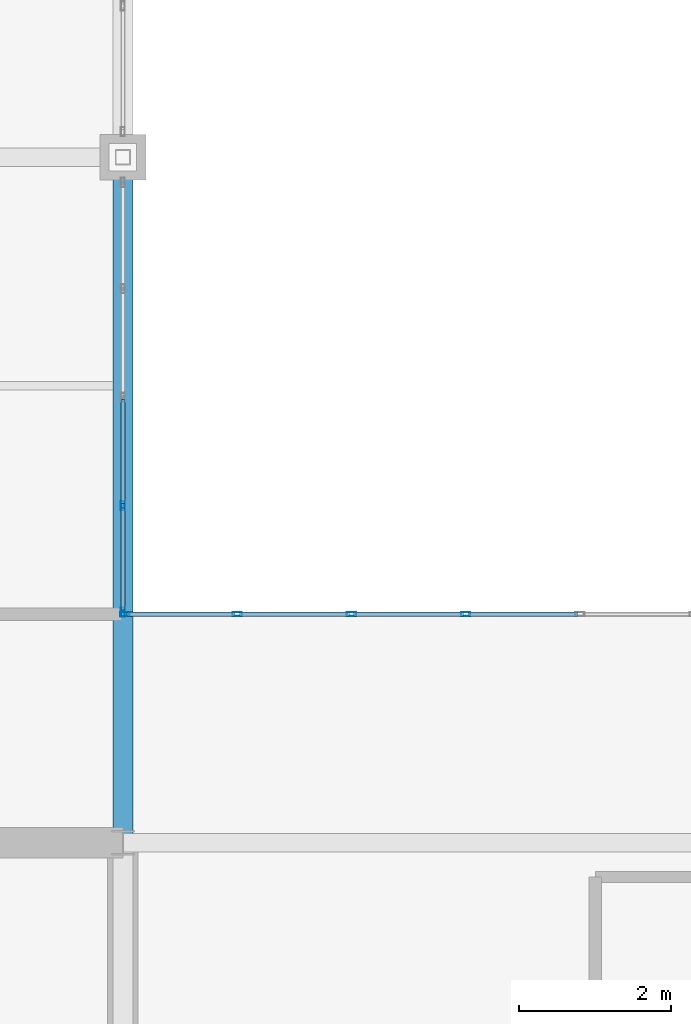
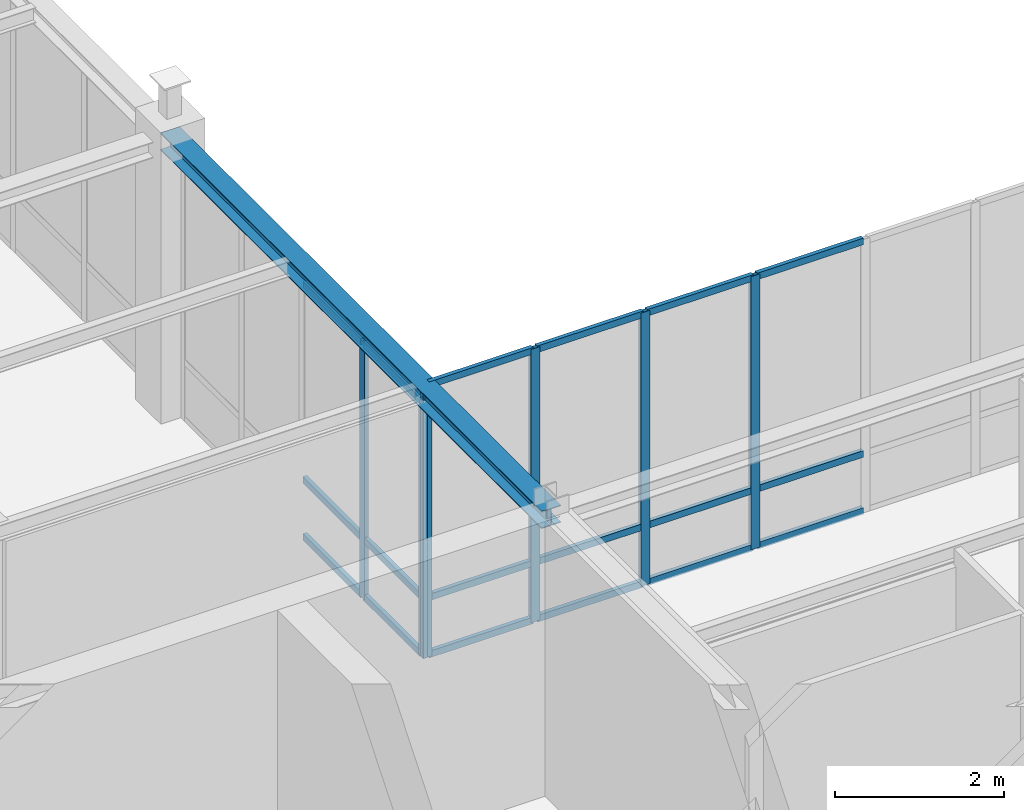
# One storey, part 9 of 36: 24 members, 1 beam, 2 elements without a shape of their own.
"""IFC4 building model written with IfcOpenShell, lengths in metres."""

import ifcopenshell
import ifcopenshell.guid

model = None  # the IFC model being written
_history = None  # IfcOwnerHistory: only IFC2X3 demands one
_inside = {}  # id of a spatial element -> (the spatial element, [elements in it])
_under = {}  # id of a project, library or spatial element -> (it, [spatial elements below it])
_declared = {}  # id of a project -> (the project, [libraries it declares])
_typed = {}  # id of a type object -> (the type object, [elements of that type])
_made_of = {}  # id of a material, layer set ... -> (it, [elements and type objects made of it])


def new_model(schema):
    """Start an empty IFC model of exactly this schema.

    Asked for "IFC4X3", IfcOpenShell would pick the latest addendum, in which some entities
    have other attributes; the version numbers below select the first issue.
    IFC2X3 requires an IfcOwnerHistory on every rooted entity: one is made here for all.
    """
    global model, _history
    if schema == "IFC4X3":
        model = ifcopenshell.file(schema_version=(4, 3, 0, 0))
    else:
        model = ifcopenshell.file(schema=schema)
    _inside.clear()
    _under.clear()
    _declared.clear()
    _typed.clear()
    _made_of.clear()
    _history = None
    if model.schema == "IFC2X3":
        org = make("IfcOrganization", Name="unknown")
        user = make(
            "IfcPersonAndOrganization",
            ThePerson=make("IfcPerson", FamilyName="unknown"),
            TheOrganization=org,
        )
        app = make(
            "IfcApplication",
            ApplicationDeveloper=org,
            Version="unknown",
            ApplicationFullName="unknown",
            ApplicationIdentifier="unknown",
        )
        _history = make(
            "IfcOwnerHistory",
            OwningUser=user,
            OwningApplication=app,
            ChangeAction="ADDED",
            CreationDate=0,
        )
    return model


def make(cls, **values):
    """One entity of the class cls with the attributes given. An attribute that is None is left unset."""
    return model.create_entity(
        cls, **{name: value for name, value in values.items() if value is not None}
    )


def rooted(cls, **values):
    """An entity with a GlobalId (a new one), such as an element, a storey or a relation."""
    return make(cls, GlobalId=ifcopenshell.guid.new(), OwnerHistory=_history, **values)


def si_unit(unit_type, name, prefix=None):
    """IfcSIUnit, for example si_unit("LENGTHUNIT", "METRE", prefix="MILLI")."""
    return make("IfcSIUnit", UnitType=unit_type, Prefix=prefix, Name=name)


def assignment(units):
    """IfcUnitAssignment: the units of a project."""
    return None if units is None else make("IfcUnitAssignment", Units=units)


def point(xyz):
    """IfcCartesianPoint."""
    return None if xyz is None else make("IfcCartesianPoint", Coordinates=xyz)


def direction(xyz):
    """IfcDirection."""
    return None if xyz is None else make("IfcDirection", DirectionRatios=xyz)


def frame(location, z_axis=None, x_axis=None):
    """IfcAxis2Placement3D, a coordinate frame: its origin and axes. An axis left out is left unset."""
    return make(
        "IfcAxis2Placement3D",
        Location=point(location),
        Axis=direction(z_axis),
        RefDirection=direction(x_axis),
    )


def frame_2d(location, x_axis=None):
    """IfcAxis2Placement2D, a coordinate frame in the plane: its origin and x axis."""
    return make(
        "IfcAxis2Placement2D", Location=point(location), RefDirection=direction(x_axis)
    )


def origin():
    """The frame at (0, 0, 0) with its axes left unset."""
    return frame((0.0, 0.0, 0.0))


def origin_2d():
    """The frame at (0, 0) in the plane with its x axis left unset."""
    return frame_2d((0.0, 0.0))


def place(relative_to, where):
    """IfcLocalPlacement: puts the frame where relative to a parent placement (None: the world)."""
    return make(
        "IfcLocalPlacement", PlacementRelTo=relative_to, RelativePlacement=where
    )


def context(
    kind, dimensions, precision=None, world=None, true_north=None, identifier=None
):
    """IfcGeometricRepresentationContext, for example the 3D "Model" context."""
    return make(
        "IfcGeometricRepresentationContext",
        ContextIdentifier=identifier,
        ContextType=kind,
        CoordinateSpaceDimension=dimensions,
        Precision=precision,
        WorldCoordinateSystem=world,
        TrueNorth=true_north,
    )


def subcontext(parent, identifier, kind, view, scale=None):
    """IfcGeometricRepresentationSubContext, for example "Body" below "Model"."""
    return make(
        "IfcGeometricRepresentationSubContext",
        ContextIdentifier=identifier,
        ContextType=kind,
        ParentContext=parent,
        TargetScale=scale,
        TargetView=view,
    )


def project(units=None, contexts=None):
    """IfcProject with its units and contexts."""
    return rooted(
        "IfcProject",
        Name="project",
        RepresentationContexts=contexts,
        UnitsInContext=assignment(units),
    )


def spatial(cls, under=None, at=None, **own):
    """A site, building, storey or space (cls), placed at a placement, below another one or the project."""
    s = rooted(cls, ObjectPlacement=at, **own)
    if under is not None:
        _under.setdefault(under.id(), (under, []))[1].append(s)
    return s


def profile(cls, at=None, kind="AREA", **sizes):
    """A parametric profile (cls). Its sizes go by their IFC names, for example OverallWidth=200.0."""
    return make(cls, ProfileType=kind, Position=at, **sizes)


def hollow_rectangle(**sizes):
    """IfcRectangleHollowProfileDef."""
    return profile("IfcRectangleHollowProfileDef", **sizes)


def i_section(**sizes):
    """IfcIShapeProfileDef."""
    return profile("IfcIShapeProfileDef", **sizes)


def extrude(swept, where, along, depth):
    """IfcExtrudedAreaSolid: the profile swept, set in the frame where, extruded along a direction by depth."""
    return make(
        "IfcExtrudedAreaSolid",
        SweptArea=swept,
        Position=where,
        ExtrudedDirection=direction(along),
        Depth=depth,
    )


def shape(context_of_items, identifier, shape_type, items):
    """IfcShapeRepresentation: the items that make up one representation, for example the "Body"."""
    return make(
        "IfcShapeRepresentation",
        ContextOfItems=context_of_items,
        RepresentationIdentifier=identifier,
        RepresentationType=shape_type,
        Items=items,
    )


def material(Name=None, Category=None):
    """IfcMaterial."""
    return make("IfcMaterial", Name=Name, Category=Category)


def material_profile(
    of_material, cross_section, Name=None, Category=None, Priority=None
):
    """IfcMaterialProfile: a cross section and its material."""
    return make(
        "IfcMaterialProfile",
        Name=Name,
        Material=of_material,
        Profile=cross_section,
        Priority=Priority,
        Category=Category,
    )


def profile_set(profiles, Name=None, composite=None):
    """IfcMaterialProfileSet."""
    return make(
        "IfcMaterialProfileSet",
        Name=Name,
        MaterialProfiles=profiles,
        CompositeProfile=composite,
    )


def made_of(thing, what):
    """Note that an element or type object is made of a material, layer set ...; save() writes the relation."""
    if what is not None:
        _made_of.setdefault(what.id(), (what, []))[1].append(thing)
    return thing


def type_object(cls, material=None, **own):
    """A type object (cls), such as IfcWallType, which elements share."""
    return made_of(rooted(cls, **own), material)


def element(
    cls,
    number,
    at=None,
    inside=None,
    cuts=None,
    type_object=None,
    material=None,
    context=None,
    identifier="Body",
    shape_type=None,
    held_by="IfcProductDefinitionShape",
    body=None,
    shapes=None,
    **own,
):
    """One element of the class cls, such as IfcWall. Its Tag is "e" and its number.

    at: its placement. inside: the storey or other place that contains it. cuts: it is an
    opening in that element (IfcRelVoidsElement). A single representation is given by context,
    identifier, shape_type and body (its items); several are given by shapes. held_by: the class
    of the entity that holds the representations. save() writes the other relations.
    """
    e = rooted(cls, Tag="e%d" % number, ObjectPlacement=at, **own)
    if body is not None:
        shapes = [shape(context, identifier, shape_type, body)]
    if shapes is not None:
        e.Representation = make(held_by, Representations=shapes)
    if inside is not None:
        _inside.setdefault(inside.id(), (inside, []))[1].append(e)
    if cuts is not None:
        rooted(
            "IfcRelVoidsElement", RelatingBuildingElement=cuts, RelatedOpeningElement=e
        )
    if type_object is not None:
        _typed.setdefault(type_object.id(), (type_object, []))[1].append(e)
    return made_of(e, material)


def aggregate(whole, parts):
    """IfcRelAggregates: a whole, such as a stair, and the parts it consists of."""
    return rooted("IfcRelAggregates", RelatingObject=whole, RelatedObjects=parts)


def save(model, path):
    """Write the relations noted so far, then the file.

    IfcRelAggregates (storeys below a building ...), IfcRelContainedInSpatialStructure (elements
    in a storey), IfcRelDefinesByType, IfcRelAssociatesMaterial and IfcRelDeclares: one each for
    every whole, place, type object, material and project.
    """
    for whole, parts in _under.values():
        aggregate(whole, parts)
    for where, things in _inside.values():
        rooted(
            "IfcRelContainedInSpatialStructure",
            RelatedElements=things,
            RelatingStructure=where,
        )
    for kind, things in _typed.values():
        rooted("IfcRelDefinesByType", RelatedObjects=things, RelatingType=kind)
    for what, things in _made_of.values():
        rooted("IfcRelAssociatesMaterial", RelatedObjects=things, RelatingMaterial=what)
    for by, libraries in _declared.values():
        rooted("IfcRelDeclares", RelatingContext=by, RelatedDefinitions=libraries)
    model.write(path)


model = new_model("IFC4")

# Units and contexts
model_context = context("Model", 3, precision=1e-05, world=origin(), true_north=direction((0.0, 1.0)))
body_context = subcontext(model_context, "Body", "Model", "MODEL_VIEW")
ifc_project = project(units=[si_unit("LENGTHUNIT", "METRE"), si_unit("AREAUNIT", "SQUARE_METRE"), si_unit("VOLUMEUNIT", "CUBIC_METRE"), si_unit("PLANEANGLEUNIT", "RADIAN"), si_unit("MASSUNIT", "GRAM", prefix="KILO")], contexts=[model_context])

# Site, building, storey
site_placement = place(None, origin())
site = spatial("IfcSite", under=ifc_project, at=site_placement, CompositionType="ELEMENT")
building_placement = place(site_placement, origin())
building = spatial("IfcBuilding", under=site, at=building_placement, Name="Lykobir Media Centre", CompositionType="ELEMENT")
storey_placement = place(building_placement, frame((0.0, 0.0, 27.60009765625)))
storey = spatial("IfcBuildingStorey", under=building, at=storey_placement, Name="L06", CompositionType="ELEMENT", Elevation=27.60009765625)

# Beam
ifc_material_1 = material(Name="Steel S355", Category="steel")
ifc_material_profile_1 = material_profile(ifc_material_1, i_section(OverallWidth=0.260009765625, OverallDepth=0.25, WebThickness=0.007568359375, FlangeThickness=0.012451171875, at=origin_2d()), Name="HEA 260")
ifc_profile_set_1 = profile_set([ifc_material_profile_1], Name="Steel S355")
beam_type = type_object("IfcBeamType", Name="BM-HEA260", PredefinedType="BEAM", material=ifc_profile_set_1)
beam_placement = place(storey_placement, frame((36.0, 18.0, 3.8349609375), z_axis=(0.0, 1.0, 0.0), x_axis=(-1.0, 0.0, 0.0)))
element("IfcBeam", 1, at=beam_placement, inside=storey, type_object=beam_type, Name="Beam BM-L06-0360-0180-0360-0270-3144", PredefinedType="BEAM", context=body_context, shape_type="SweptSolid", body=[
    extrude(i_section(OverallWidth=0.260009765625, OverallDepth=0.25, WebThickness=0.007568359375, FlangeThickness=0.012451171875, at=origin_2d()), origin(), (0.0, 0.0, 1.0), 9.0),
])

# Curtain wall, members
ifc_material_2 = material(Name="Anodized Aluminium AW-6060", Category="aluminium")
curtain_wall_type = type_object("IfcCurtainWallType", Name="CW-COURT-B", PredefinedType="NOTDEFINED", material=ifc_material_2)
curtain_wall_1_placement = place(storey_placement, origin())
curtain_wall_1 = element("IfcCurtainWall", 2, at=curtain_wall_1_placement, inside=storey, type_object=curtain_wall_type, Name="Curtain wall CW2-L06-0206", PredefinedType="NOTDEFINED")
ifc_material_profile_2 = material_profile(ifc_material_2, hollow_rectangle(XDim=0.054931640625, YDim=0.1201171875, WallThickness=0.003173828125, at=origin_2d()), Name="ALU MULLION 55x120")
ifc_profile_set_2 = profile_set([ifc_material_profile_2], Name="Anodized Aluminium AW-6060")
member_type_1 = type_object("IfcMemberType", Name="CWM-120", PredefinedType="MULLION", material=ifc_profile_set_2)
member_1_placement = place(storey_placement, frame((36.027587890625, 21.0, 0.0), z_axis=(0.0, 0.0, 1.0), x_axis=(0.0, 1.0, 0.0)))
member_1 = element("IfcMember", 3, at=member_1_placement, type_object=member_type_1, Name="CW2-L06-0206 mullion 1", PredefinedType="MULLION", context=body_context, shape_type="SweptSolid", body=[
    extrude(hollow_rectangle(XDim=0.054931640625, YDim=0.1201171875, WallThickness=0.003173828125, at=origin_2d()), origin(), (0.0, 0.0, 1.0), 3.93994140625),
])
member_2_placement = place(storey_placement, frame((37.5, 21.0, 0.0), z_axis=(0.0, 0.0, 1.0), x_axis=(0.0, 1.0, 0.0)))
member_2 = element("IfcMember", 4, at=member_2_placement, type_object=member_type_1, Name="CW2-L06-0206 mullion 2", PredefinedType="MULLION", context=body_context, shape_type="SweptSolid", body=[
    extrude(hollow_rectangle(XDim=0.054931640625, YDim=0.1201171875, WallThickness=0.003173828125, at=origin_2d()), origin(), (0.0, 0.0, 1.0), 3.93994140625),
])
member_3_placement = place(storey_placement, frame((39.0, 21.0, 0.0), z_axis=(0.0, 0.0, 1.0), x_axis=(0.0, 1.0, 0.0)))
member_3 = element("IfcMember", 5, at=member_3_placement, type_object=member_type_1, Name="CW2-L06-0206 mullion 3", PredefinedType="MULLION", context=body_context, shape_type="SweptSolid", body=[
    extrude(hollow_rectangle(XDim=0.054931640625, YDim=0.1201171875, WallThickness=0.003173828125, at=origin_2d()), origin(), (0.0, 0.0, 1.0), 3.93994140625),
])
member_4_placement = place(storey_placement, frame((40.5, 21.0, 0.0), z_axis=(0.0, 0.0, 1.0), x_axis=(0.0, 1.0, 0.0)))
member_4 = element("IfcMember", 6, at=member_4_placement, type_object=member_type_1, Name="CW2-L06-0206 mullion 4", PredefinedType="MULLION", context=body_context, shape_type="SweptSolid", body=[
    extrude(hollow_rectangle(XDim=0.054931640625, YDim=0.1201171875, WallThickness=0.003173828125, at=origin_2d()), origin(), (0.0, 0.0, 1.0), 3.93994140625),
])

curtain_wall_2_placement = place(storey_placement, origin())
curtain_wall_2 = element("IfcCurtainWall", 7, at=curtain_wall_2_placement, inside=storey, type_object=curtain_wall_type, Name="Curtain wall CW2-L06-0210", PredefinedType="NOTDEFINED")
member_5_placement = place(storey_placement, frame((36.0, 22.423583984375, 0.0), z_axis=(0.0, 0.0, 1.0), x_axis=(1.0, 0.0, 0.0)))
member_5 = element("IfcMember", 8, at=member_5_placement, type_object=member_type_1, Name="CW2-L06-0210 mullion 4", PredefinedType="MULLION", context=body_context, shape_type="SweptSolid", body=[
    extrude(hollow_rectangle(XDim=0.054931640625, YDim=0.1201171875, WallThickness=0.003173828125, at=origin_2d()), origin(), (0.0, 0.0, 1.0), 3.69482421875),
])
member_6_placement = place(storey_placement, frame((36.0, 21.027587890625, 0.0), z_axis=(0.0, 0.0, 1.0), x_axis=(1.0, 0.0, 0.0)))
member_6 = element("IfcMember", 9, at=member_6_placement, type_object=member_type_1, Name="CW2-L06-0210 mullion 5", PredefinedType="MULLION", context=body_context, shape_type="SweptSolid", body=[
    extrude(hollow_rectangle(XDim=0.054931640625, YDim=0.1201171875, WallThickness=0.003173828125, at=origin_2d()), origin(), (0.0, 0.0, 1.0), 3.69482421875),
])

# Member
ifc_material_profile_3 = material_profile(ifc_material_2, hollow_rectangle(XDim=0.054931640625, YDim=0.094970703125, WallThickness=0.0029296875, at=origin_2d()), Name="ALU TRANSOM 55x95")
ifc_profile_set_3 = profile_set([ifc_material_profile_3], Name="Anodized Aluminium AW-6060")
member_type_2 = type_object("IfcMemberType", Name="CWT-095", PredefinedType="USERDEFINED", material=ifc_profile_set_3)
member_7_placement = place(storey_placement, frame((36.054931640625, 21.0, 0.02734375), z_axis=(1.0, 0.0, 0.0), x_axis=(0.0, 1.0, 0.0)))
member_7 = element("IfcMember", 10, at=member_7_placement, type_object=member_type_2, Name="CW2-L06-0206 transom 1.1", ObjectType="TRANSOM", PredefinedType="USERDEFINED", context=body_context, shape_type="SweptSolid", body=[
    extrude(hollow_rectangle(XDim=0.054931640625, YDim=0.094970703125, WallThickness=0.0029296875, at=origin_2d()), origin(), (0.0, 0.0, 1.0), 1.41748046875),
])

member_8_placement = place(storey_placement, frame((36.054931640625, 21.0, 0.849853515625), z_axis=(1.0, 0.0, 0.0), x_axis=(0.0, 1.0, 0.0)))
member_8 = element("IfcMember", 11, at=member_8_placement, type_object=member_type_2, Name="CW2-L06-0206 transom 1.2", ObjectType="TRANSOM", PredefinedType="USERDEFINED", context=body_context, shape_type="SweptSolid", body=[
    extrude(hollow_rectangle(XDim=0.054931640625, YDim=0.094970703125, WallThickness=0.0029296875, at=origin_2d()), origin(), (0.0, 0.0, 1.0), 1.41748046875),
])

member_9_placement = place(storey_placement, frame((36.054931640625, 21.0, 3.912353515625), z_axis=(1.0, 0.0, 0.0), x_axis=(0.0, 1.0, 0.0)))
member_9 = element("IfcMember", 12, at=member_9_placement, type_object=member_type_2, Name="CW2-L06-0206 transom 1.3", ObjectType="TRANSOM", PredefinedType="USERDEFINED", context=body_context, shape_type="SweptSolid", body=[
    extrude(hollow_rectangle(XDim=0.054931640625, YDim=0.094970703125, WallThickness=0.0029296875, at=origin_2d()), origin(), (0.0, 0.0, 1.0), 1.41748046875),
])

member_10_placement = place(storey_placement, frame((37.527587890625, 21.0, 0.02734375), z_axis=(1.0, 0.0, 0.0), x_axis=(0.0, 1.0, 0.0)))
member_10 = element("IfcMember", 13, at=member_10_placement, type_object=member_type_2, Name="CW2-L06-0206 transom 2.1", ObjectType="TRANSOM", PredefinedType="USERDEFINED", context=body_context, shape_type="SweptSolid", body=[
    extrude(hollow_rectangle(XDim=0.054931640625, YDim=0.094970703125, WallThickness=0.0029296875, at=origin_2d()), origin(), (0.0, 0.0, 1.0), 1.44482421875),
])

member_11_placement = place(storey_placement, frame((37.527587890625, 21.0, 0.849853515625), z_axis=(1.0, 0.0, 0.0), x_axis=(0.0, 1.0, 0.0)))
member_11 = element("IfcMember", 14, at=member_11_placement, type_object=member_type_2, Name="CW2-L06-0206 transom 2.2", ObjectType="TRANSOM", PredefinedType="USERDEFINED", context=body_context, shape_type="SweptSolid", body=[
    extrude(hollow_rectangle(XDim=0.054931640625, YDim=0.094970703125, WallThickness=0.0029296875, at=origin_2d()), origin(), (0.0, 0.0, 1.0), 1.44482421875),
])

member_12_placement = place(storey_placement, frame((37.527587890625, 21.0, 3.912353515625), z_axis=(1.0, 0.0, 0.0), x_axis=(0.0, 1.0, 0.0)))
member_12 = element("IfcMember", 15, at=member_12_placement, type_object=member_type_2, Name="CW2-L06-0206 transom 2.3", ObjectType="TRANSOM", PredefinedType="USERDEFINED", context=body_context, shape_type="SweptSolid", body=[
    extrude(hollow_rectangle(XDim=0.054931640625, YDim=0.094970703125, WallThickness=0.0029296875, at=origin_2d()), origin(), (0.0, 0.0, 1.0), 1.44482421875),
])

member_13_placement = place(storey_placement, frame((39.027587890625, 21.0, 0.02734375), z_axis=(1.0, 0.0, 0.0), x_axis=(0.0, 1.0, 0.0)))
member_13 = element("IfcMember", 16, at=member_13_placement, type_object=member_type_2, Name="CW2-L06-0206 transom 3.1", ObjectType="TRANSOM", PredefinedType="USERDEFINED", context=body_context, shape_type="SweptSolid", body=[
    extrude(hollow_rectangle(XDim=0.054931640625, YDim=0.094970703125, WallThickness=0.0029296875, at=origin_2d()), origin(), (0.0, 0.0, 1.0), 1.44482421875),
])

member_14_placement = place(storey_placement, frame((39.027587890625, 21.0, 0.849853515625), z_axis=(1.0, 0.0, 0.0), x_axis=(0.0, 1.0, 0.0)))
member_14 = element("IfcMember", 17, at=member_14_placement, type_object=member_type_2, Name="CW2-L06-0206 transom 3.2", ObjectType="TRANSOM", PredefinedType="USERDEFINED", context=body_context, shape_type="SweptSolid", body=[
    extrude(hollow_rectangle(XDim=0.054931640625, YDim=0.094970703125, WallThickness=0.0029296875, at=origin_2d()), origin(), (0.0, 0.0, 1.0), 1.44482421875),
])

member_15_placement = place(storey_placement, frame((39.027587890625, 21.0, 3.912353515625), z_axis=(1.0, 0.0, 0.0), x_axis=(0.0, 1.0, 0.0)))
member_15 = element("IfcMember", 18, at=member_15_placement, type_object=member_type_2, Name="CW2-L06-0206 transom 3.3", ObjectType="TRANSOM", PredefinedType="USERDEFINED", context=body_context, shape_type="SweptSolid", body=[
    extrude(hollow_rectangle(XDim=0.054931640625, YDim=0.094970703125, WallThickness=0.0029296875, at=origin_2d()), origin(), (0.0, 0.0, 1.0), 1.44482421875),
])

member_16_placement = place(storey_placement, frame((40.527587890625, 21.0, 0.02734375), z_axis=(1.0, 0.0, 0.0), x_axis=(0.0, 1.0, 0.0)))
member_16 = element("IfcMember", 19, at=member_16_placement, type_object=member_type_2, Name="CW2-L06-0206 transom 4.1", ObjectType="TRANSOM", PredefinedType="USERDEFINED", context=body_context, shape_type="SweptSolid", body=[
    extrude(hollow_rectangle(XDim=0.054931640625, YDim=0.094970703125, WallThickness=0.0029296875, at=origin_2d()), origin(), (0.0, 0.0, 1.0), 1.44482421875),
])

member_17_placement = place(storey_placement, frame((40.527587890625, 21.0, 0.849853515625), z_axis=(1.0, 0.0, 0.0), x_axis=(0.0, 1.0, 0.0)))
member_17 = element("IfcMember", 20, at=member_17_placement, type_object=member_type_2, Name="CW2-L06-0206 transom 4.2", ObjectType="TRANSOM", PredefinedType="USERDEFINED", context=body_context, shape_type="SweptSolid", body=[
    extrude(hollow_rectangle(XDim=0.054931640625, YDim=0.094970703125, WallThickness=0.0029296875, at=origin_2d()), origin(), (0.0, 0.0, 1.0), 1.44482421875),
])

member_18_placement = place(storey_placement, frame((40.527587890625, 21.0, 3.912353515625), z_axis=(1.0, 0.0, 0.0), x_axis=(0.0, 1.0, 0.0)))
member_18 = element("IfcMember", 21, at=member_18_placement, type_object=member_type_2, Name="CW2-L06-0206 transom 4.3", ObjectType="TRANSOM", PredefinedType="USERDEFINED", context=body_context, shape_type="SweptSolid", body=[
    extrude(hollow_rectangle(XDim=0.054931640625, YDim=0.094970703125, WallThickness=0.0029296875, at=origin_2d()), origin(), (0.0, 0.0, 1.0), 1.44482421875),
])

aggregate(curtain_wall_1, [member_1, member_2, member_3, member_4, member_7, member_8, member_9, member_10, member_11, member_12, member_13, member_14, member_15, member_16, member_17, member_18])

member_19_placement = place(storey_placement, frame((36.0, 23.820068359375, 0.02734375), z_axis=(0.0, -1.0, 0.0), x_axis=(1.0, 0.0, 0.0)))
member_19 = element("IfcMember", 22, at=member_19_placement, type_object=member_type_2, Name="CW2-L06-0210 transom 3.1", ObjectType="TRANSOM", PredefinedType="USERDEFINED", context=body_context, shape_type="SweptSolid", body=[
    extrude(hollow_rectangle(XDim=0.054931640625, YDim=0.094970703125, WallThickness=0.0029296875, at=origin_2d()), origin(), (0.0, 0.0, 1.0), 1.36865234375),
])

member_20_placement = place(storey_placement, frame((36.0, 23.820068359375, 0.849853515625), z_axis=(0.0, -1.0, 0.0), x_axis=(1.0, 0.0, 0.0)))
member_20 = element("IfcMember", 23, at=member_20_placement, type_object=member_type_2, Name="CW2-L06-0210 transom 3.2", ObjectType="TRANSOM", PredefinedType="USERDEFINED", context=body_context, shape_type="SweptSolid", body=[
    extrude(hollow_rectangle(XDim=0.054931640625, YDim=0.094970703125, WallThickness=0.0029296875, at=origin_2d()), origin(), (0.0, 0.0, 1.0), 1.36865234375),
])

member_21_placement = place(storey_placement, frame((36.0, 23.820068359375, 3.66748046875), z_axis=(0.0, -1.0, 0.0), x_axis=(1.0, 0.0, 0.0)))
member_21 = element("IfcMember", 24, at=member_21_placement, type_object=member_type_2, Name="CW2-L06-0210 transom 3.3", ObjectType="TRANSOM", PredefinedType="USERDEFINED", context=body_context, shape_type="SweptSolid", body=[
    extrude(hollow_rectangle(XDim=0.054931640625, YDim=0.094970703125, WallThickness=0.0029296875, at=origin_2d()), origin(), (0.0, 0.0, 1.0), 1.36865234375),
])

member_22_placement = place(storey_placement, frame((36.0, 22.396240234375, 0.02734375), z_axis=(0.0, -1.0, 0.0), x_axis=(1.0, 0.0, 0.0)))
member_22 = element("IfcMember", 25, at=member_22_placement, type_object=member_type_2, Name="CW2-L06-0210 transom 4.1", ObjectType="TRANSOM", PredefinedType="USERDEFINED", context=body_context, shape_type="SweptSolid", body=[
    extrude(hollow_rectangle(XDim=0.054931640625, YDim=0.094970703125, WallThickness=0.0029296875, at=origin_2d()), origin(), (0.0, 0.0, 1.0), 1.34130859375),
])

member_23_placement = place(storey_placement, frame((36.0, 22.396240234375, 0.849853515625), z_axis=(0.0, -1.0, 0.0), x_axis=(1.0, 0.0, 0.0)))
member_23 = element("IfcMember", 26, at=member_23_placement, type_object=member_type_2, Name="CW2-L06-0210 transom 4.2", ObjectType="TRANSOM", PredefinedType="USERDEFINED", context=body_context, shape_type="SweptSolid", body=[
    extrude(hollow_rectangle(XDim=0.054931640625, YDim=0.094970703125, WallThickness=0.0029296875, at=origin_2d()), origin(), (0.0, 0.0, 1.0), 1.34130859375),
])

member_24_placement = place(storey_placement, frame((36.0, 22.396240234375, 3.66748046875), z_axis=(0.0, -1.0, 0.0), x_axis=(1.0, 0.0, 0.0)))
member_24 = element("IfcMember", 27, at=member_24_placement, type_object=member_type_2, Name="CW2-L06-0210 transom 4.3", ObjectType="TRANSOM", PredefinedType="USERDEFINED", context=body_context, shape_type="SweptSolid", body=[
    extrude(hollow_rectangle(XDim=0.054931640625, YDim=0.094970703125, WallThickness=0.0029296875, at=origin_2d()), origin(), (0.0, 0.0, 1.0), 1.34130859375),
])

aggregate(curtain_wall_2, [member_5, member_6, member_19, member_20, member_21, member_22, member_23, member_24])

save(model, "model.ifc")
